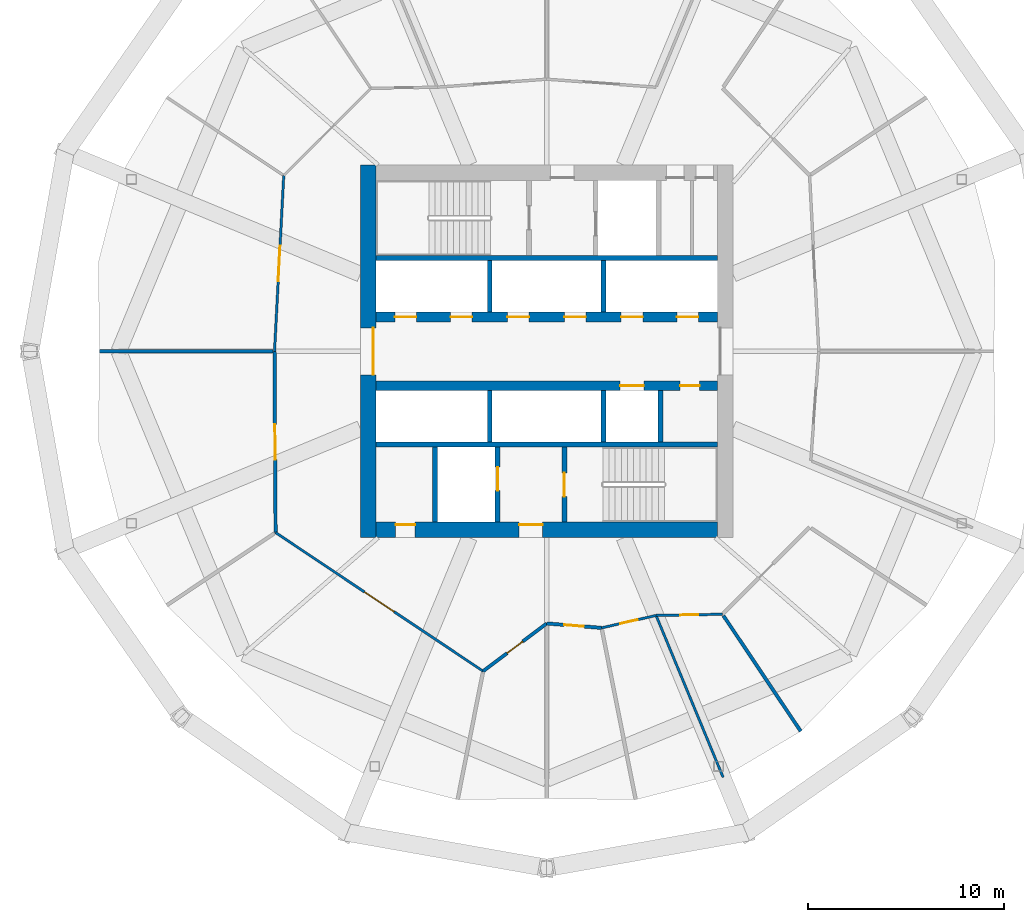
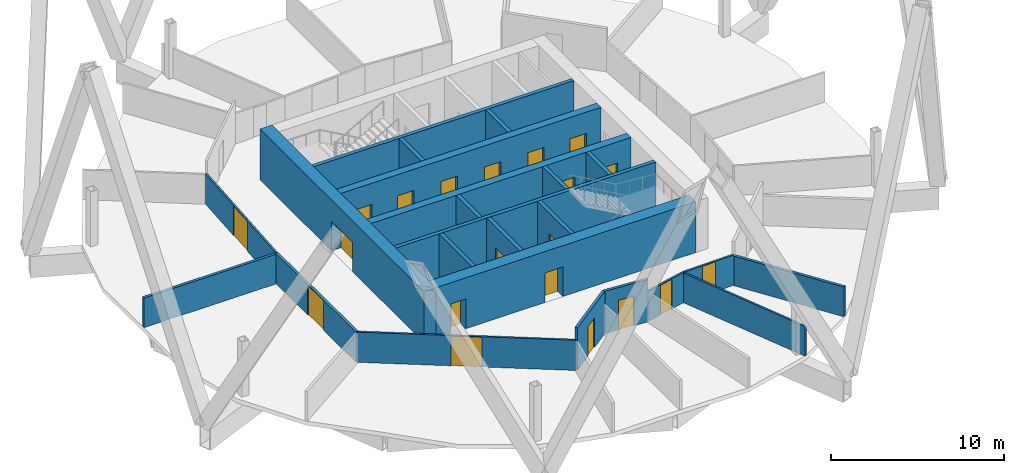
# One storey, part 4 of 9: 24 walls, 20 doors, 20 openings.
"""IFC4 building model written with IfcOpenShell, lengths in metres."""

from ifc_helpers import new_model, si_unit, direction, frame, frame_2d, origin, place, context, subcontext, project, spatial, rectangle, extrude, material, layer, layer_set, type_object, element, fill, save


model = new_model("IFC4")

# Units and contexts
model_context = context("Model", 3, precision=1e-05, world=origin(), true_north=direction((0.0, 1.0)))
body_context = subcontext(model_context, "Body", "Model", "MODEL_VIEW")
ifc_project = project(units=[si_unit("LENGTHUNIT", "METRE"), si_unit("AREAUNIT", "SQUARE_METRE"), si_unit("VOLUMEUNIT", "CUBIC_METRE"), si_unit("PLANEANGLEUNIT", "RADIAN"), si_unit("MASSUNIT", "GRAM", prefix="KILO")], contexts=[model_context])

# Site, building, storey
site_placement = place(None, origin())
site = spatial("IfcSite", under=ifc_project, at=site_placement, CompositionType="ELEMENT")
building_placement = place(site_placement, origin())
building = spatial("IfcBuilding", under=site, at=building_placement, Name="Ogive Gate Towers", CompositionType="ELEMENT")
storey_placement = place(building_placement, frame((0.0, 0.0, 51.89990234375)))
storey = spatial("IfcBuildingStorey", under=building, at=storey_placement, Name="L11", CompositionType="ELEMENT", Elevation=51.89990234375)

# Walls
ifc_material_1 = material(Name="Gypsum board acoustic partition")
ifc_layer_1 = layer(ifc_material_1, 0.175048828125)
ifc_layer_set_1 = layer_set([ifc_layer_1], Name="Acoustic partition 175")
wall_type_1 = type_object("IfcWallType", Name="Acoustic partition 175", PredefinedType="PARTITIONING", material=ifc_layer_set_1)
wall_1_placement = place(storey_placement, frame((-58.799072265625, 0.0, 0.0), z_axis=(0.0, 0.0, 1.0), x_axis=(1.0, 0.0, 0.0)))
element("IfcWall", 1, at=wall_1_placement, inside=storey, type_object=wall_type_1, Name="Partition T1-L11-009", PredefinedType="PARTITIONING", context=body_context, shape_type="SweptSolid", body=[
    extrude(rectangle(XDim=8.841552734375, YDim=0.175048828125, at=frame_2d((4.4208984375, 0.0))), origin(), (0.0, 0.0, 1.0), 2.10009765625),
])
wall_2_placement = place(storey_placement, frame((-23.049072265625, -19.36865234375, 0.0), z_axis=(0.0, 0.0, 1.0), x_axis=(-0.555835794407, 0.831292108501, 0.0)))
element("IfcWall", 2, at=wall_2_placement, inside=storey, type_object=wall_type_1, Name="Partition T1-L11-015", PredefinedType="PARTITIONING", context=body_context, shape_type="SweptSolid", body=[
    extrude(rectangle(XDim=7.09130859375, YDim=0.175048828125, at=frame_2d((3.545654296875, 0.0))), origin(), (0.0, 0.0, 1.0), 2.10009765625),
])

# Wall, opening, door
wall_3_placement = place(storey_placement, frame((-49.8701171875, 0.0, 0.0), z_axis=(0.0, 0.0, 1.0), x_axis=(0.005813701595, -0.999983100294, 0.0)))
wall_3 = element("IfcWall", 3, at=wall_3_placement, inside=storey, type_object=wall_type_1, Name="Partition T1-L11-023", PredefinedType="PARTITIONING", context=body_context, shape_type="SweptSolid", body=[
    extrude(rectangle(XDim=9.23876953125, YDim=0.175048828125, at=frame_2d((4.619384765625, 0.0))), origin(), (0.0, 0.0, 1.0), 2.14013671875),
])
opening_1_placement = place(wall_3_placement, frame((3.718994140625, 0.0, 0.0)))
opening_1 = element("IfcOpeningElement", 4, at=opening_1_placement, cuts=wall_3, Name="Opening T1-L11-D06", PredefinedType="OPENING", context=body_context, shape_type="SweptSolid", body=[
    extrude(rectangle(XDim=1.800048828125, YDim=2.10009765625, at=frame_2d((0.89990234375, 1.050048828125))), frame((0.0, 0.09765625, 0.0), z_axis=(0.0, -1.0, 0.0), x_axis=(1.0, 0.0, 0.0)), (0.0, 0.0, 1.0), 0.195068359375),
])
ifc_material_2 = material(Name="Timber door", Category="wood")
door_type_1 = type_object("IfcDoorType", Name="Door pair 1800", OperationType="NOTDEFINED", PredefinedType="DOOR", material=ifc_material_2)
door_1_placement = place(opening_1_placement, origin())
door_1 = element("IfcDoor", 5, at=door_1_placement, inside=storey, type_object=door_type_1, Name="Door T1-L11-D06", OperationType="DOUBLE_DOOR_DOUBLE_SWING", OverallHeight=2.10009765625, OverallWidth=1.800048828125, PredefinedType="DOOR", context=body_context, shape_type="SweptSolid", body=[
    extrude(rectangle(XDim=1.800048828125, YDim=2.10009765625, at=frame_2d((0.89990234375, 1.050048828125))), frame((0.0, 0.02490234375, 0.0), z_axis=(0.0, -1.0, 0.0), x_axis=(1.0, 0.0, 0.0)), (0.0, 0.0, 1.0), 0.050048828125),
])
fill(opening_1, door_1)

wall_4_placement = place(storey_placement, frame((-39.2373046875, -16.30224609375, 0.0), z_axis=(0.0, 0.0, 1.0), x_axis=(0.79950772628, 0.600655804616, 0.0)))
wall_4 = element("IfcWall", 6, at=wall_4_placement, inside=storey, type_object=wall_type_1, Name="Partition T1-L11-025", PredefinedType="PARTITIONING", context=body_context, shape_type="SweptSolid", body=[
    extrude(rectangle(XDim=4.049072265625, YDim=0.175048828125, at=frame_2d((2.0244140625, 0.0))), origin(), (0.0, 0.0, 1.0), 3.0),
])
opening_2_placement = place(wall_4_placement, frame((1.52490234375, 0.0, 0.0)))
opening_2 = element("IfcOpeningElement", 7, at=opening_2_placement, cuts=wall_4, Name="Opening T1-L11-D08", PredefinedType="OPENING", context=body_context, shape_type="SweptSolid", body=[
    extrude(rectangle(XDim=1.0, YDim=2.10009765625, at=frame_2d((0.5, 1.050048828125))), frame((0.0, 0.09765625, 0.0), z_axis=(0.0, -1.0, 0.0), x_axis=(1.0, 0.0, 0.0)), (0.0, 0.0, 1.0), 0.195068359375),
])
door_type_2 = type_object("IfcDoorType", Name="Door 1000", OperationType="NOTDEFINED", PredefinedType="DOOR", material=ifc_material_2)
door_2_placement = place(opening_2_placement, origin())
door_2 = element("IfcDoor", 8, at=door_2_placement, inside=storey, type_object=door_type_2, Name="Door T1-L11-D08", OperationType="SINGLE_SWING_RIGHT", OverallHeight=2.10009765625, OverallWidth=1.0, PredefinedType="DOOR", context=body_context, shape_type="SweptSolid", body=[
    extrude(rectangle(XDim=1.0, YDim=2.10009765625, at=frame_2d((0.5, 1.050048828125))), frame((0.0, 0.02490234375, 0.0), z_axis=(0.0, -1.0, 0.0), x_axis=(1.0, 0.0, 0.0)), (0.0, 0.0, 1.0), 0.050048828125),
])
fill(opening_2, door_2)

wall_5_placement = place(storey_placement, frame((-36.0, -13.8701171875, 0.0), z_axis=(0.0, 0.0, 1.0), x_axis=(0.996781460413, -0.080166827155, 0.0)))
wall_5 = element("IfcWall", 9, at=wall_5_placement, inside=storey, type_object=wall_type_1, Name="Partition T1-L11-026", PredefinedType="PARTITIONING", context=body_context, shape_type="SweptSolid", body=[
    extrude(rectangle(XDim=2.807861328125, YDim=0.175048828125, at=frame_2d((1.40380859375, 0.0))), origin(), (0.0, 0.0, 1.0), 3.0),
])
opening_3_placement = place(wall_5_placement, frame((0.904052734375, 0.0, 0.0)))
opening_3 = element("IfcOpeningElement", 10, at=opening_3_placement, cuts=wall_5, Name="Opening T1-L11-D09", PredefinedType="OPENING", context=body_context, shape_type="SweptSolid", body=[
    extrude(rectangle(XDim=1.0, YDim=2.10009765625, at=frame_2d((0.5, 1.050048828125))), frame((0.0, 0.09765625, 0.0), z_axis=(0.0, -1.0, 0.0), x_axis=(1.0, 0.0, 0.0)), (0.0, 0.0, 1.0), 0.195068359375),
])
door_3_placement = place(opening_3_placement, origin())
door_3 = element("IfcDoor", 11, at=door_3_placement, inside=storey, type_object=door_type_2, Name="Door T1-L11-D09", OperationType="SINGLE_SWING_LEFT", OverallHeight=2.10009765625, OverallWidth=1.0, PredefinedType="DOOR", context=body_context, shape_type="SweptSolid", body=[
    extrude(rectangle(XDim=1.0, YDim=2.10009765625, at=frame_2d((0.5, 1.050048828125))), frame((0.0, 0.02490234375, 0.0), z_axis=(0.0, -1.0, 0.0), x_axis=(1.0, 0.0, 0.0)), (0.0, 0.0, 1.0), 0.050048828125),
])
fill(opening_3, door_3)

# Wall, openings, doors
ifc_material_3 = material(Name="Concrete C60/75", Category="concrete")
ifc_layer_2 = layer(ifc_material_3, 0.800048828125)
ifc_layer_set_2 = layer_set([ifc_layer_2], Name="Core wall 800 mm")
wall_type_2 = type_object("IfcWallType", Name="Core wall 800 mm", PredefinedType="SHEAR", material=ifc_layer_set_2)
wall_6_placement = place(storey_placement, frame((-44.699951171875, -9.10009765625, 0.0), z_axis=(0.0, 0.0, 1.0), x_axis=(1.0, 0.0, 0.0)))
wall_6 = element("IfcWall", 12, at=wall_6_placement, inside=storey, type_object=wall_type_2, Name="T1 L11 Core wall 800 mm", PredefinedType="SHEAR", context=body_context, shape_type="SweptSolid", body=[
    extrude(rectangle(XDim=17.39990234375, YDim=0.800048828125, at=frame_2d((8.699951171875, 0.0))), origin(), (0.0, 0.0, 1.0), 3.60009765625),
])
opening_4_placement = place(wall_6_placement, frame((7.300048828125, 0.0, 0.0)))
opening_4 = element("IfcOpeningElement", 13, at=opening_4_placement, cuts=wall_6, Name="Opening KD-T1-L11-16", PredefinedType="OPENING", context=body_context, shape_type="SweptSolid", body=[
    extrude(rectangle(XDim=1.199951171875, YDim=2.10009765625, at=frame_2d((0.60009765625, 1.050048828125))), frame((0.0, 0.41015625, 0.0), z_axis=(0.0, -1.0, 0.0), x_axis=(1.0, 0.0, 0.0)), (0.0, 0.0, 1.0), 0.820068359375),
])
opening_5_placement = place(wall_6_placement, frame((1.0, 0.0, 0.0)))
opening_5 = element("IfcOpeningElement", 14, at=opening_5_placement, cuts=wall_6, Name="Opening KD-T1-L11-19", PredefinedType="OPENING", context=body_context, shape_type="SweptSolid", body=[
    extrude(rectangle(XDim=1.0, YDim=2.10009765625, at=frame_2d((0.5, 1.050048828125))), frame((0.0, 0.41015625, 0.0), z_axis=(0.0, -1.0, 0.0), x_axis=(1.0, 0.0, 0.0)), (0.0, 0.0, 1.0), 0.820068359375),
])
door_type_3 = type_object("IfcDoorType", Name="Accessible WC door 1000 x 2100", OperationType="NOTDEFINED", PredefinedType="DOOR", material=ifc_material_2)
door_4_placement = place(opening_5_placement, origin())
door_4 = element("IfcDoor", 15, at=door_4_placement, inside=storey, type_object=door_type_3, Name="T1 L11 Core door", OperationType="SINGLE_SWING_RIGHT", OverallHeight=2.10009765625, OverallWidth=1.0, PredefinedType="DOOR", context=body_context, shape_type="SweptSolid", body=[
    extrude(rectangle(XDim=1.0, YDim=2.10009765625, at=frame_2d((0.5, 1.050048828125))), frame((0.0, 0.27490234375, 0.0), z_axis=(0.0, -1.0, 0.0), x_axis=(1.0, 0.0, 0.0)), (0.0, 0.0, 1.0), 0.050048828125),
])
fill(opening_5, door_4)
ifc_material_4 = material(Name="Steel fire door", Category="steel")
door_type_4 = type_object("IfcDoorType", Name="Core door FD60S 1200 x 2100", OperationType="NOTDEFINED", PredefinedType="DOOR", material=ifc_material_4)
door_5_placement = place(opening_4_placement, origin())
door_5 = element("IfcDoor", 16, at=door_5_placement, inside=storey, type_object=door_type_4, Name="T1 L11 Fire-fighting lobby door", OperationType="SINGLE_SWING_LEFT", OverallHeight=2.10009765625, OverallWidth=1.199951171875, PredefinedType="DOOR", context=body_context, shape_type="SweptSolid", body=[
    extrude(rectangle(XDim=1.199951171875, YDim=2.10009765625, at=frame_2d((0.60009765625, 1.050048828125))), frame((0.0, 0.27490234375, 0.0), z_axis=(0.0, -1.0, 0.0), x_axis=(1.0, 0.0, 0.0)), (0.0, 0.0, 1.0), 0.050048828125),
])
fill(opening_4, door_5)

# Wall, opening, door
wall_7_placement = place(storey_placement, frame((-45.10009765625, -9.5, 0.0), z_axis=(0.0, 0.0, 1.0), x_axis=(0.0, 1.0, 0.0)))
wall_7 = element("IfcWall", 17, at=wall_7_placement, inside=storey, type_object=wall_type_2, Name="T1 L11 Core wall 800 mm", PredefinedType="SHEAR", context=body_context, shape_type="SweptSolid", body=[
    extrude(rectangle(XDim=19.0, YDim=0.800048828125, at=frame_2d((9.5, 0.0))), origin(), (0.0, 0.0, 1.0), 3.60009765625),
])
opening_6_placement = place(wall_7_placement, frame((8.300048828125, 0.0, 0.0)))
opening_6 = element("IfcOpeningElement", 18, at=opening_6_placement, cuts=wall_7, Name="Opening KD-T1-L11-01", PredefinedType="OPENING", context=body_context, shape_type="SweptSolid", body=[
    extrude(rectangle(XDim=2.39990234375, YDim=2.10009765625, at=frame_2d((1.199951171875, 1.050048828125))), frame((0.0, 0.41015625, 0.0), z_axis=(0.0, -1.0, 0.0), x_axis=(1.0, 0.0, 0.0)), (0.0, 0.0, 1.0), 0.820068359375),
])
door_type_5 = type_object("IfcDoorType", Name="Core double door FD60S 2400 x 2100", OperationType="DOUBLE_DOOR_SINGLE_SWING", PredefinedType="DOOR", material=ifc_material_4)
door_6_placement = place(opening_6_placement, origin())
door_6 = element("IfcDoor", 19, at=door_6_placement, inside=storey, type_object=door_type_5, Name="T1 L11 Core door double", OperationType="DOUBLE_DOOR_SINGLE_SWING", OverallHeight=2.10009765625, OverallWidth=2.39990234375, PredefinedType="DOOR", context=body_context, shape_type="SweptSolid", body=[
    extrude(rectangle(XDim=2.39990234375, YDim=2.10009765625, at=frame_2d((1.199951171875, 1.050048828125))), frame((0.0, -0.22509765625, 0.0), z_axis=(0.0, -1.0, 0.0), x_axis=(1.0, 0.0, 0.0)), (0.0, 0.0, 1.0), 0.050048828125),
])
fill(opening_6, door_6)

# Wall
ifc_material_5 = material(Name="Gypsum board partition")
ifc_layer_3 = layer(ifc_material_5, 0.125)
ifc_layer_set_3 = layer_set([ifc_layer_3], Name="Partition 125")
wall_type_3 = type_object("IfcWallType", Name="Partition 125", PredefinedType="PARTITIONING", material=ifc_layer_set_3)
wall_8_placement = place(storey_placement, frame((-27.007080078125, -21.711181640625, 0.0), z_axis=(0.0, 0.0, 1.0), x_axis=(-0.382657399133, 0.923890315399, 0.0)))
element("IfcWall", 20, at=wall_8_placement, inside=storey, type_object=wall_type_3, Name="Partition T1-L11-014", PredefinedType="PARTITIONING", context=body_context, shape_type="SweptSolid", body=[
    extrude(rectangle(XDim=8.866455078125, YDim=0.125, at=frame_2d((4.43310546875, 0.0))), origin(), (0.0, 0.0, 1.0), 2.10009765625),
])

# Wall, opening, door
wall_9_placement = place(storey_placement, frame((-49.40087890625, 8.960693359375, 0.0), z_axis=(0.0, 0.0, 1.0), x_axis=(-0.052294638748, -0.998631699256, 0.0)))
wall_9 = element("IfcWall", 21, at=wall_9_placement, inside=storey, type_object=wall_type_3, Name="Partition T1-L11-022", PredefinedType="PARTITIONING", context=body_context, shape_type="SweptSolid", body=[
    extrude(rectangle(XDim=8.972900390625, YDim=0.125, at=frame_2d((4.486328125, 0.0))), origin(), (0.0, 0.0, 1.0), 2.14013671875),
])
opening_7_placement = place(wall_9_placement, frame((3.5859375, 0.0, 0.0)))
opening_7 = element("IfcOpeningElement", 22, at=opening_7_placement, cuts=wall_9, Name="Opening T1-L11-D05", PredefinedType="OPENING", context=body_context, shape_type="SweptSolid", body=[
    extrude(rectangle(XDim=1.800048828125, YDim=2.10009765625, at=frame_2d((0.89990234375, 1.050048828125))), frame((0.0, 0.072509765625, 0.0), z_axis=(0.0, -1.0, 0.0), x_axis=(1.0, 0.0, 0.0)), (0.0, 0.0, 1.0), 0.14501953125),
])
door_7_placement = place(opening_7_placement, origin())
door_7 = element("IfcDoor", 23, at=door_7_placement, inside=storey, type_object=door_type_1, Name="Door T1-L11-D05", OperationType="DOUBLE_DOOR_DOUBLE_SWING", OverallHeight=2.10009765625, OverallWidth=1.800048828125, PredefinedType="DOOR", context=body_context, shape_type="SweptSolid", body=[
    extrude(rectangle(XDim=1.800048828125, YDim=2.10009765625, at=frame_2d((0.89990234375, 1.050048828125))), frame((0.0, 0.02490234375, 0.0), z_axis=(0.0, -1.0, 0.0), x_axis=(1.0, 0.0, 0.0)), (0.0, 0.0, 1.0), 0.050048828125),
])
fill(opening_7, door_7)

wall_10_placement = place(storey_placement, frame((-49.81640625, -9.238525390625, 0.0), z_axis=(0.0, 0.0, 1.0), x_axis=(0.831651465054, -0.55529797467, 0.0)))
wall_10 = element("IfcWall", 24, at=wall_10_placement, inside=storey, type_object=wall_type_3, Name="Partition T1-L11-024", PredefinedType="PARTITIONING", context=body_context, shape_type="SweptSolid", body=[
    extrude(rectangle(XDim=12.720703125, YDim=0.125, at=frame_2d((6.3603515625, 0.0))), origin(), (0.0, 0.0, 1.0), 2.14013671875),
])
opening_8_placement = place(wall_10_placement, frame((5.4599609375, 0.0, 0.0)))
opening_8 = element("IfcOpeningElement", 25, at=opening_8_placement, cuts=wall_10, Name="Opening T1-L11-D07", PredefinedType="OPENING", context=body_context, shape_type="SweptSolid", body=[
    extrude(rectangle(XDim=1.800048828125, YDim=2.10009765625, at=frame_2d((0.89990234375, 1.050048828125))), frame((0.0, 0.072509765625, 0.0), z_axis=(0.0, -1.0, 0.0), x_axis=(1.0, 0.0, 0.0)), (0.0, 0.0, 1.0), 0.14501953125),
])
door_8_placement = place(opening_8_placement, origin())
door_8 = element("IfcDoor", 26, at=door_8_placement, inside=storey, type_object=door_type_1, Name="Door T1-L11-D07", OperationType="DOUBLE_DOOR_DOUBLE_SWING", OverallHeight=2.10009765625, OverallWidth=1.800048828125, PredefinedType="DOOR", context=body_context, shape_type="SweptSolid", body=[
    extrude(rectangle(XDim=1.800048828125, YDim=2.10009765625, at=frame_2d((0.89990234375, 1.050048828125))), frame((0.0, 0.02490234375, 0.0), z_axis=(0.0, -1.0, 0.0), x_axis=(1.0, 0.0, 0.0)), (0.0, 0.0, 1.0), 0.050048828125),
])
fill(opening_8, door_8)

wall_11_placement = place(storey_placement, frame((-33.201171875, -14.09521484375, 0.0), z_axis=(0.0, 0.0, 1.0), x_axis=(0.974974331621, 0.222317459232, 0.0)))
wall_11 = element("IfcWall", 27, at=wall_11_placement, inside=storey, type_object=wall_type_3, Name="Partition T1-L11-027", PredefinedType="PARTITIONING", context=body_context, shape_type="SweptSolid", body=[
    extrude(rectangle(XDim=2.8486328125, YDim=0.125, at=frame_2d((1.42431640625, 0.0))), origin(), (0.0, 0.0, 1.0), 2.14013671875),
])
opening_9_placement = place(wall_11_placement, frame((0.97412109375, 0.0, 0.0)))
opening_9 = element("IfcOpeningElement", 28, at=opening_9_placement, cuts=wall_11, Name="Opening T1-L11-D10", PredefinedType="OPENING", context=body_context, shape_type="SweptSolid", body=[
    extrude(rectangle(XDim=0.89990234375, YDim=2.10009765625, at=frame_2d((0.449951171875, 1.050048828125))), frame((0.0, 0.072509765625, 0.0), z_axis=(0.0, -1.0, 0.0), x_axis=(1.0, 0.0, 0.0)), (0.0, 0.0, 1.0), 0.14501953125),
])
door_type_6 = type_object("IfcDoorType", Name="Door 900", OperationType="NOTDEFINED", PredefinedType="DOOR", material=ifc_material_2)
door_9_placement = place(opening_9_placement, origin())
door_9 = element("IfcDoor", 29, at=door_9_placement, inside=storey, type_object=door_type_6, Name="Door T1-L11-D10", OperationType="SINGLE_SWING_LEFT", OverallHeight=2.10009765625, OverallWidth=0.89990234375, PredefinedType="DOOR", context=body_context, shape_type="SweptSolid", body=[
    extrude(rectangle(XDim=0.89990234375, YDim=2.10009765625, at=frame_2d((0.449951171875, 1.050048828125))), frame((0.0, 0.02490234375, 0.0), z_axis=(0.0, -1.0, 0.0), x_axis=(1.0, 0.0, 0.0)), (0.0, 0.0, 1.0), 0.050048828125),
])
fill(opening_9, door_9)

wall_12_placement = place(storey_placement, frame((-30.423828125, -13.4619140625, 0.0), z_axis=(0.0, 0.0, 1.0), x_axis=(0.999837434021, 0.018030683006, 0.0)))
wall_12 = element("IfcWall", 30, at=wall_12_placement, inside=storey, type_object=wall_type_3, Name="Partition T1-L11-028", PredefinedType="PARTITIONING", context=body_context, shape_type="SweptSolid", body=[
    extrude(rectangle(XDim=3.385009765625, YDim=0.125, at=frame_2d((1.6923828125, 0.0))), origin(), (0.0, 0.0, 1.0), 2.14013671875),
])
opening_10_placement = place(wall_12_placement, frame((1.242919921875, 0.0, 0.0)))
opening_10 = element("IfcOpeningElement", 31, at=opening_10_placement, cuts=wall_12, Name="Opening T1-L11-D11", PredefinedType="OPENING", context=body_context, shape_type="SweptSolid", body=[
    extrude(rectangle(XDim=0.89990234375, YDim=2.10009765625, at=frame_2d((0.449951171875, 1.050048828125))), frame((0.0, 0.072509765625, 0.0), z_axis=(0.0, -1.0, 0.0), x_axis=(1.0, 0.0, 0.0)), (0.0, 0.0, 1.0), 0.14501953125),
])
door_10_placement = place(opening_10_placement, origin())
door_10 = element("IfcDoor", 32, at=door_10_placement, inside=storey, type_object=door_type_6, Name="Door T1-L11-D11", OperationType="SINGLE_SWING_RIGHT", OverallHeight=2.10009765625, OverallWidth=0.89990234375, PredefinedType="DOOR", context=body_context, shape_type="SweptSolid", body=[
    extrude(rectangle(XDim=0.89990234375, YDim=2.10009765625, at=frame_2d((0.449951171875, 1.050048828125))), frame((0.0, 0.02490234375, 0.0), z_axis=(0.0, -1.0, 0.0), x_axis=(1.0, 0.0, 0.0)), (0.0, 0.0, 1.0), 0.050048828125),
])
fill(opening_10, door_10)

# Walls
ifc_layer_4 = layer(ifc_material_3, 0.25)
ifc_layer_set_4 = layer_set([ifc_layer_4], Name="Shaft wall 250 mm")
wall_type_4 = type_object("IfcWallType", Name="Shaft wall 250 mm", PredefinedType="SHEAR", material=ifc_layer_set_4)
for number, where, z_axis, x_axis, name in (
    (33, (-44.699951171875, -4.75, 0.0), (0.0, 0.0, 1.0), (1.0, 0.0, 0.0), "T1 L11 Shaft wall 250 mm"),
    (34, (-44.699951171875, 4.75, 0.0), (0.0, 0.0, 1.0), (1.0, 0.0, 0.0), "T1 L11 Shaft wall 250 mm"),
):
    element("IfcWall", number, at=place(storey_placement, frame(where, z_axis=z_axis, x_axis=x_axis)), inside=storey, type_object=wall_type_4, Name=name, PredefinedType="SHEAR", context=body_context, shape_type="SweptSolid", body=[
        extrude(rectangle(XDim=17.39990234375, YDim=0.25, at=frame_2d((8.699951171875, 0.0))), origin(), (0.0, 0.0, 1.0), 3.60009765625),
    ])
wall_13_placement = place(storey_placement, frame((-41.699951171875, -8.699951171875, 0.0), z_axis=(0.0, 0.0, 1.0), x_axis=(0.0, 1.0, 0.0)))
element("IfcWall", 35, at=wall_13_placement, inside=storey, type_object=wall_type_4, Name="T1 L11 Shaft wall 250 mm", PredefinedType="SHEAR", context=body_context, shape_type="SweptSolid", body=[
    extrude(rectangle(XDim=3.824951171875, YDim=0.25, at=frame_2d((1.91259765625, 0.0))), origin(), (0.0, 0.0, 1.0), 3.60009765625),
])
for number, where, z_axis, x_axis, name in (
    (36, (-38.89990234375, -4.625, 0.0), (0.0, 0.0, 1.0), (0.0, 1.0, 0.0), "T1 L11 Shaft wall 250 mm"),
    (37, (-38.89990234375, 2.0, 0.0), (0.0, 0.0, 1.0), (0.0, 1.0, 0.0), "T1 L11 Shaft wall 250 mm"),
):
    element("IfcWall", number, at=place(storey_placement, frame(where, z_axis=z_axis, x_axis=x_axis)), inside=storey, type_object=wall_type_4, Name=name, PredefinedType="SHEAR", context=body_context, shape_type="SweptSolid", body=[
        extrude(rectangle(XDim=2.625, YDim=0.25, at=frame_2d((1.3125, 0.0))), origin(), (0.0, 0.0, 1.0), 3.60009765625),
    ])

# Wall, opening, door
wall_14_placement = place(storey_placement, frame((-38.5, -8.699951171875, 0.0), z_axis=(0.0, 0.0, 1.0), x_axis=(0.0, 1.0, 0.0)))
wall_14 = element("IfcWall", 38, at=wall_14_placement, inside=storey, type_object=wall_type_4, Name="T1 L11 Shaft wall 250 mm", PredefinedType="SHEAR", context=body_context, shape_type="SweptSolid", body=[
    extrude(rectangle(XDim=3.824951171875, YDim=0.25, at=frame_2d((1.91259765625, 0.0))), origin(), (0.0, 0.0, 1.0), 3.60009765625),
])
opening_11_placement = place(wall_14_placement, frame((1.60009765625, 0.0, 0.0)))
opening_11 = element("IfcOpeningElement", 39, at=opening_11_placement, cuts=wall_14, Name="Opening LD-T1-L11-11", PredefinedType="OPENING", context=body_context, shape_type="SweptSolid", body=[
    extrude(rectangle(XDim=1.199951171875, YDim=2.10009765625, at=frame_2d((0.60009765625, 1.050048828125))), frame((0.0, 0.135009765625, 0.0), z_axis=(0.0, -1.0, 0.0), x_axis=(1.0, 0.0, 0.0)), (0.0, 0.0, 1.0), 0.27001953125),
])
ifc_material_6 = material(Name="Stainless steel landing door", Category="steel")
door_type_7 = type_object("IfcDoorType", Name="Landing door 1200 x 2100", OperationType="SLIDING_TO_LEFT", PredefinedType="DOOR", material=ifc_material_6)
door_11_placement = place(opening_11_placement, origin())
door_11 = element("IfcDoor", 40, at=door_11_placement, inside=storey, type_object=door_type_7, Name="T1 L11 Lift landing door FF2", OperationType="SLIDING_TO_LEFT", OverallHeight=2.10009765625, OverallWidth=1.199951171875, PredefinedType="DOOR", context=body_context, shape_type="SweptSolid", body=[
    extrude(rectangle(XDim=1.199951171875, YDim=2.10009765625, at=frame_2d((0.60009765625, 1.050048828125))), frame((0.0, 0.02490234375, 0.0), z_axis=(0.0, -1.0, 0.0), x_axis=(1.0, 0.0, 0.0)), (0.0, 0.0, 1.0), 0.050048828125),
])
fill(opening_11, door_11)

wall_15_placement = place(storey_placement, frame((-35.10009765625, -8.699951171875, 0.0), z_axis=(0.0, 0.0, 1.0), x_axis=(0.0, 1.0, 0.0)))
wall_15 = element("IfcWall", 41, at=wall_15_placement, inside=storey, type_object=wall_type_4, Name="T1 L11 Shaft wall 250 mm", PredefinedType="SHEAR", context=body_context, shape_type="SweptSolid", body=[
    extrude(rectangle(XDim=3.824951171875, YDim=0.25, at=frame_2d((1.91259765625, 0.0))), origin(), (0.0, 0.0, 1.0), 3.60009765625),
])
opening_12_placement = place(wall_15_placement, frame((1.300048828125, 0.0, 0.0)))
opening_12 = element("IfcOpeningElement", 42, at=opening_12_placement, cuts=wall_15, Name="Opening KD-T1-L11-14", PredefinedType="OPENING", context=body_context, shape_type="SweptSolid", body=[
    extrude(rectangle(XDim=1.199951171875, YDim=2.10009765625, at=frame_2d((0.60009765625, 1.050048828125))), frame((0.0, 0.135009765625, 0.0), z_axis=(0.0, -1.0, 0.0), x_axis=(1.0, 0.0, 0.0)), (0.0, 0.0, 1.0), 0.27001953125),
])
door_12_placement = place(opening_12_placement, origin())
door_12 = element("IfcDoor", 43, at=door_12_placement, inside=storey, type_object=door_type_4, Name="T1 L11 Stair door", OperationType="SINGLE_SWING_LEFT", OverallHeight=2.10009765625, OverallWidth=1.199951171875, PredefinedType="DOOR", context=body_context, shape_type="SweptSolid", body=[
    extrude(rectangle(XDim=1.199951171875, YDim=2.10009765625, at=frame_2d((0.60009765625, 1.050048828125))), frame((0.0, 0.02490234375, 0.0), z_axis=(0.0, -1.0, 0.0), x_axis=(1.0, 0.0, 0.0)), (0.0, 0.0, 1.0), 0.050048828125),
])
fill(opening_12, door_12)

# Walls
for number, where, z_axis, x_axis, name in (
    (44, (-33.10009765625, -4.625, 0.0), (0.0, 0.0, 1.0), (0.0, 1.0, 0.0), "T1 L11 Shaft wall 250 mm"),
    (45, (-33.10009765625, 2.0, 0.0), (0.0, 0.0, 1.0), (0.0, 1.0, 0.0), "T1 L11 Shaft wall 250 mm"),
    (46, (-30.199951171875, -4.625, 0.0), (0.0, 0.0, 1.0), (0.0, 1.0, 0.0), "T1 L11 Shaft wall 250 mm"),
):
    element("IfcWall", number, at=place(storey_placement, frame(where, z_axis=z_axis, x_axis=x_axis)), inside=storey, type_object=wall_type_4, Name=name, PredefinedType="SHEAR", context=body_context, shape_type="SweptSolid", body=[
        extrude(rectangle(XDim=2.625, YDim=0.25, at=frame_2d((1.3125, 0.0))), origin(), (0.0, 0.0, 1.0), 3.60009765625),
    ])

# Wall, openings, doors
ifc_layer_5 = layer(ifc_material_3, 0.5)
ifc_layer_set_5 = layer_set([ifc_layer_5], Name="Spine wall 500 mm")
wall_type_5 = type_object("IfcWallType", Name="Spine wall 500 mm", PredefinedType="SHEAR", material=ifc_layer_set_5)
wall_16_placement = place(storey_placement, frame((-44.699951171875, -1.75, 0.0), z_axis=(0.0, 0.0, 1.0), x_axis=(1.0, 0.0, 0.0)))
wall_16 = element("IfcWall", 47, at=wall_16_placement, inside=storey, type_object=wall_type_5, Name="T1 L11 Spine wall 500 mm", PredefinedType="SHEAR", context=body_context, shape_type="SweptSolid", body=[
    extrude(rectangle(XDim=17.39990234375, YDim=0.5, at=frame_2d((8.699951171875, 0.0))), origin(), (0.0, 0.0, 1.0), 3.60009765625),
])
opening_13_placement = place(wall_16_placement, frame((12.449951171875, 0.0, 0.0)))
opening_13 = element("IfcOpeningElement", 48, at=opening_13_placement, cuts=wall_16, Name="Opening LD-T1-L11-09", PredefinedType="OPENING", context=body_context, shape_type="SweptSolid", body=[
    extrude(rectangle(XDim=1.199951171875, YDim=2.10009765625, at=frame_2d((0.60009765625, 1.050048828125))), frame((0.0, 0.260009765625, 0.0), z_axis=(0.0, -1.0, 0.0), x_axis=(1.0, 0.0, 0.0)), (0.0, 0.0, 1.0), 0.52001953125),
])
opening_14_placement = place(wall_16_placement, frame((15.5, 0.0, 0.0)))
opening_14 = element("IfcOpeningElement", 49, at=opening_14_placement, cuts=wall_16, Name="Opening KD-T1-L11-12", PredefinedType="OPENING", context=body_context, shape_type="SweptSolid", body=[
    extrude(rectangle(XDim=1.0, YDim=2.10009765625, at=frame_2d((0.5, 1.050048828125))), frame((0.0, 0.260009765625, 0.0), z_axis=(0.0, -1.0, 0.0), x_axis=(1.0, 0.0, 0.0)), (0.0, 0.0, 1.0), 0.52001953125),
])
door_type_8 = type_object("IfcDoorType", Name="Core door FD60S 1000 x 2100", OperationType="NOTDEFINED", PredefinedType="DOOR", material=ifc_material_4)
door_13_placement = place(opening_14_placement, origin())
door_13 = element("IfcDoor", 50, at=door_13_placement, inside=storey, type_object=door_type_8, Name="T1 L11 Core door", OperationType="SINGLE_SWING_LEFT", OverallHeight=2.10009765625, OverallWidth=1.0, PredefinedType="DOOR", context=body_context, shape_type="SweptSolid", body=[
    extrude(rectangle(XDim=1.0, YDim=2.10009765625, at=frame_2d((0.5, 1.050048828125))), frame((0.0, 0.02490234375, 0.0), z_axis=(0.0, -1.0, 0.0), x_axis=(1.0, 0.0, 0.0)), (0.0, 0.0, 1.0), 0.050048828125),
])
fill(opening_14, door_13)
door_14_placement = place(opening_13_placement, origin())
door_14 = element("IfcDoor", 51, at=door_14_placement, inside=storey, type_object=door_type_7, Name="T1 L11 Lift landing door SVC", OperationType="SLIDING_TO_LEFT", OverallHeight=2.10009765625, OverallWidth=1.199951171875, PredefinedType="DOOR", context=body_context, shape_type="SweptSolid", body=[
    extrude(rectangle(XDim=1.199951171875, YDim=2.10009765625, at=frame_2d((0.60009765625, 1.050048828125))), frame((0.0, 0.02490234375, 0.0), z_axis=(0.0, -1.0, 0.0), x_axis=(1.0, 0.0, 0.0)), (0.0, 0.0, 1.0), 0.050048828125),
])
fill(opening_13, door_14)

wall_17_placement = place(storey_placement, frame((-44.699951171875, 1.75, 0.0), z_axis=(0.0, 0.0, 1.0), x_axis=(1.0, 0.0, 0.0)))
wall_17 = element("IfcWall", 52, at=wall_17_placement, inside=storey, type_object=wall_type_5, Name="T1 L11 Spine wall 500 mm", PredefinedType="SHEAR", context=body_context, shape_type="SweptSolid", body=[
    extrude(rectangle(XDim=17.39990234375, YDim=0.5, at=frame_2d((8.699951171875, 0.0))), origin(), (0.0, 0.0, 1.0), 3.60009765625),
])
opening_15_placement = place(wall_17_placement, frame((0.96240234375, 0.0, 0.0)))
opening_15 = element("IfcOpeningElement", 53, at=opening_15_placement, cuts=wall_17, Name="Opening LD-T1-L11-03", PredefinedType="OPENING", context=body_context, shape_type="SweptSolid", body=[
    extrude(rectangle(XDim=1.10009765625, YDim=2.10009765625, at=frame_2d((0.550048828125, 1.050048828125))), frame((0.0, 0.260009765625, 0.0), z_axis=(0.0, -1.0, 0.0), x_axis=(1.0, 0.0, 0.0)), (0.0, 0.0, 1.0), 0.52001953125),
])
opening_16_placement = place(wall_17_placement, frame((3.800048828125, 0.0, 0.0)))
opening_16 = element("IfcOpeningElement", 54, at=opening_16_placement, cuts=wall_17, Name="Opening LD-T1-L11-04", PredefinedType="OPENING", context=body_context, shape_type="SweptSolid", body=[
    extrude(rectangle(XDim=1.10009765625, YDim=2.10009765625, at=frame_2d((0.550048828125, 1.050048828125))), frame((0.0, 0.260009765625, 0.0), z_axis=(0.0, -1.0, 0.0), x_axis=(1.0, 0.0, 0.0)), (0.0, 0.0, 1.0), 0.52001953125),
])
opening_17_placement = place(wall_17_placement, frame((6.699951171875, 0.0, 0.0)))
opening_17 = element("IfcOpeningElement", 55, at=opening_17_placement, cuts=wall_17, Name="Opening LD-T1-L11-05", PredefinedType="OPENING", context=body_context, shape_type="SweptSolid", body=[
    extrude(rectangle(XDim=1.10009765625, YDim=2.10009765625, at=frame_2d((0.550048828125, 1.050048828125))), frame((0.0, 0.260009765625, 0.0), z_axis=(0.0, -1.0, 0.0), x_axis=(1.0, 0.0, 0.0)), (0.0, 0.0, 1.0), 0.52001953125),
])
opening_18_placement = place(wall_17_placement, frame((9.60009765625, 0.0, 0.0)))
opening_18 = element("IfcOpeningElement", 56, at=opening_18_placement, cuts=wall_17, Name="Opening LD-T1-L11-06", PredefinedType="OPENING", context=body_context, shape_type="SweptSolid", body=[
    extrude(rectangle(XDim=1.10009765625, YDim=2.10009765625, at=frame_2d((0.550048828125, 1.050048828125))), frame((0.0, 0.260009765625, 0.0), z_axis=(0.0, -1.0, 0.0), x_axis=(1.0, 0.0, 0.0)), (0.0, 0.0, 1.0), 0.52001953125),
])
opening_19_placement = place(wall_17_placement, frame((12.5, 0.0, 0.0)))
opening_19 = element("IfcOpeningElement", 57, at=opening_19_placement, cuts=wall_17, Name="Opening LD-T1-L11-07", PredefinedType="OPENING", context=body_context, shape_type="SweptSolid", body=[
    extrude(rectangle(XDim=1.10009765625, YDim=2.10009765625, at=frame_2d((0.550048828125, 1.050048828125))), frame((0.0, 0.260009765625, 0.0), z_axis=(0.0, -1.0, 0.0), x_axis=(1.0, 0.0, 0.0)), (0.0, 0.0, 1.0), 0.52001953125),
])
opening_20_placement = place(wall_17_placement, frame((15.33740234375, 0.0, 0.0)))
opening_20 = element("IfcOpeningElement", 58, at=opening_20_placement, cuts=wall_17, Name="Opening LD-T1-L11-08", PredefinedType="OPENING", context=body_context, shape_type="SweptSolid", body=[
    extrude(rectangle(XDim=1.10009765625, YDim=2.10009765625, at=frame_2d((0.550048828125, 1.050048828125))), frame((0.0, 0.260009765625, 0.0), z_axis=(0.0, -1.0, 0.0), x_axis=(1.0, 0.0, 0.0)), (0.0, 0.0, 1.0), 0.52001953125),
])
door_type_9 = type_object("IfcDoorType", Name="Landing door 1100 x 2100", OperationType="SLIDING_TO_LEFT", PredefinedType="DOOR", material=ifc_material_6)
door_15_placement = place(opening_15_placement, origin())
door_15 = element("IfcDoor", 59, at=door_15_placement, inside=storey, type_object=door_type_9, Name="T1 L11 Lift landing door A1", OperationType="SLIDING_TO_LEFT", OverallHeight=2.10009765625, OverallWidth=1.10009765625, PredefinedType="DOOR", context=body_context, shape_type="SweptSolid", body=[
    extrude(rectangle(XDim=1.10009765625, YDim=2.10009765625, at=frame_2d((0.550048828125, 1.050048828125))), frame((0.0, 0.02490234375, 0.0), z_axis=(0.0, -1.0, 0.0), x_axis=(1.0, 0.0, 0.0)), (0.0, 0.0, 1.0), 0.050048828125),
])
fill(opening_15, door_15)
door_16_placement = place(opening_16_placement, origin())
door_16 = element("IfcDoor", 60, at=door_16_placement, inside=storey, type_object=door_type_9, Name="T1 L11 Lift landing door A2", OperationType="SLIDING_TO_LEFT", OverallHeight=2.10009765625, OverallWidth=1.10009765625, PredefinedType="DOOR", context=body_context, shape_type="SweptSolid", body=[
    extrude(rectangle(XDim=1.10009765625, YDim=2.10009765625, at=frame_2d((0.550048828125, 1.050048828125))), frame((0.0, 0.02490234375, 0.0), z_axis=(0.0, -1.0, 0.0), x_axis=(1.0, 0.0, 0.0)), (0.0, 0.0, 1.0), 0.050048828125),
])
fill(opening_16, door_16)
door_17_placement = place(opening_17_placement, origin())
door_17 = element("IfcDoor", 61, at=door_17_placement, inside=storey, type_object=door_type_9, Name="T1 L11 Lift landing door A3", OperationType="SLIDING_TO_LEFT", OverallHeight=2.10009765625, OverallWidth=1.10009765625, PredefinedType="DOOR", context=body_context, shape_type="SweptSolid", body=[
    extrude(rectangle(XDim=1.10009765625, YDim=2.10009765625, at=frame_2d((0.550048828125, 1.050048828125))), frame((0.0, 0.02490234375, 0.0), z_axis=(0.0, -1.0, 0.0), x_axis=(1.0, 0.0, 0.0)), (0.0, 0.0, 1.0), 0.050048828125),
])
fill(opening_17, door_17)
door_18_placement = place(opening_18_placement, origin())
door_18 = element("IfcDoor", 62, at=door_18_placement, inside=storey, type_object=door_type_9, Name="T1 L11 Lift landing door A4", OperationType="SLIDING_TO_LEFT", OverallHeight=2.10009765625, OverallWidth=1.10009765625, PredefinedType="DOOR", context=body_context, shape_type="SweptSolid", body=[
    extrude(rectangle(XDim=1.10009765625, YDim=2.10009765625, at=frame_2d((0.550048828125, 1.050048828125))), frame((0.0, 0.02490234375, 0.0), z_axis=(0.0, -1.0, 0.0), x_axis=(1.0, 0.0, 0.0)), (0.0, 0.0, 1.0), 0.050048828125),
])
fill(opening_18, door_18)
door_19_placement = place(opening_19_placement, origin())
door_19 = element("IfcDoor", 63, at=door_19_placement, inside=storey, type_object=door_type_9, Name="T1 L11 Lift landing door A5", OperationType="SLIDING_TO_LEFT", OverallHeight=2.10009765625, OverallWidth=1.10009765625, PredefinedType="DOOR", context=body_context, shape_type="SweptSolid", body=[
    extrude(rectangle(XDim=1.10009765625, YDim=2.10009765625, at=frame_2d((0.550048828125, 1.050048828125))), frame((0.0, 0.02490234375, 0.0), z_axis=(0.0, -1.0, 0.0), x_axis=(1.0, 0.0, 0.0)), (0.0, 0.0, 1.0), 0.050048828125),
])
fill(opening_19, door_19)
door_20_placement = place(opening_20_placement, origin())
door_20 = element("IfcDoor", 64, at=door_20_placement, inside=storey, type_object=door_type_9, Name="T1 L11 Lift landing door A6", OperationType="SLIDING_TO_LEFT", OverallHeight=2.10009765625, OverallWidth=1.10009765625, PredefinedType="DOOR", context=body_context, shape_type="SweptSolid", body=[
    extrude(rectangle(XDim=1.10009765625, YDim=2.10009765625, at=frame_2d((0.550048828125, 1.050048828125))), frame((0.0, 0.02490234375, 0.0), z_axis=(0.0, -1.0, 0.0), x_axis=(1.0, 0.0, 0.0)), (0.0, 0.0, 1.0), 0.050048828125),
])
fill(opening_20, door_20)

save(model, "model.ifc")
